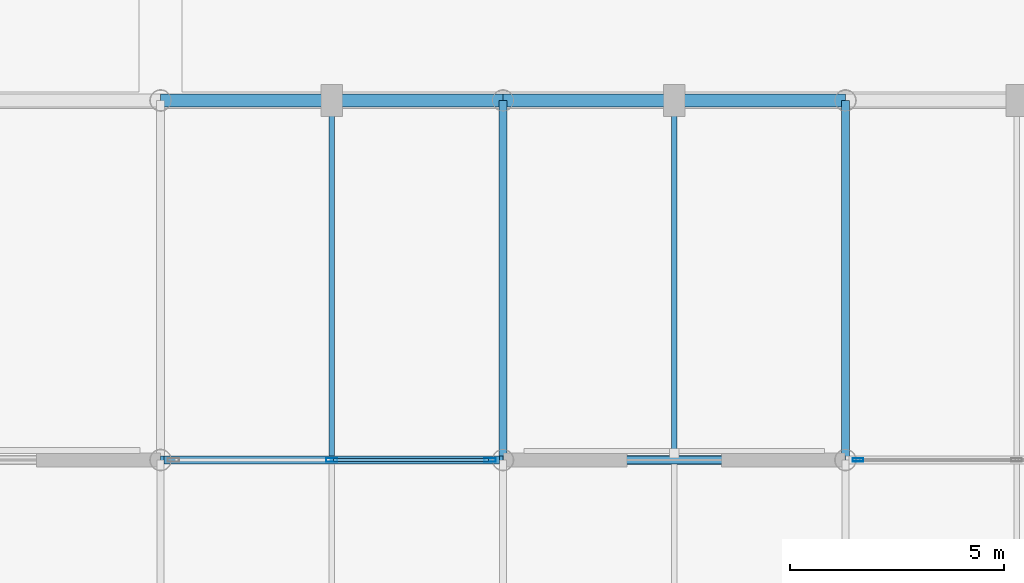
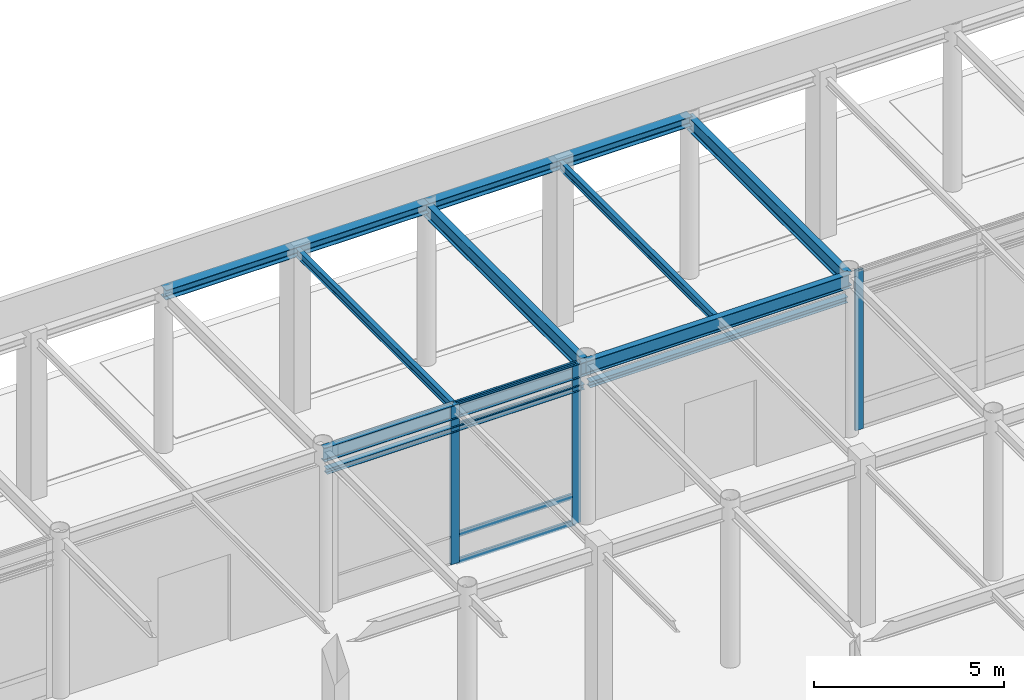
# One storey, part 39 of 89: 10 beams, 7 members, 2 elements without a shape of their own.
"""IFC4 building model written with IfcOpenShell, lengths in metres."""

from ifc_helpers import new_model, si_unit, direction, frame, origin, origin_2d, place, context, subcontext, project, spatial, hollow_rectangle, i_section, extrude, material, layer, layer_set, material_profile, profile_set, type_object, element, aggregate, save


model = new_model("IFC4")

# Units and contexts
model_context = context("Model", 3, precision=1e-05, world=origin(), true_north=direction((0.0, 1.0)))
body_context = subcontext(model_context, "Body", "Model", "MODEL_VIEW")
ifc_project = project(units=[si_unit("LENGTHUNIT", "METRE"), si_unit("AREAUNIT", "SQUARE_METRE"), si_unit("VOLUMEUNIT", "CUBIC_METRE"), si_unit("PLANEANGLEUNIT", "RADIAN"), si_unit("MASSUNIT", "GRAM", prefix="KILO")], contexts=[model_context])

# Site, building, storey
site_placement = place(None, origin())
site = spatial("IfcSite", under=ifc_project, at=site_placement, CompositionType="ELEMENT")
building_placement = place(site_placement, origin())
building = spatial("IfcBuilding", under=site, at=building_placement, Name="Shalkamar Park Central Library", CompositionType="ELEMENT")
storey_placement = place(building_placement, origin())
storey = spatial("IfcBuildingStorey", under=building, at=storey_placement, Name="L01", CompositionType="ELEMENT", Elevation=0.0)

# Beams
ifc_material_1 = material(Name="Steel S355", Category="steel")
ifc_material_profile_1 = material_profile(ifc_material_1, i_section(OverallWidth=0.135009765625, OverallDepth=0.27001953125, WebThickness=0.006591796875, FlangeThickness=0.01025390625, FilletRadius=0.014892578125, at=origin_2d()), Name="IPE 270")
ifc_profile_set_1 = profile_set([ifc_material_profile_1], Name="Steel S355")
beam_type_1 = type_object("IfcBeamType", Name="Composite Floor Joist IPE270", PredefinedType="JOIST", material=ifc_profile_set_1)
for number, where, z_axis, x_axis, name in (
    (1, (193.0, 345.693115234375, 5.0048828125), (0.0, 1.0, 0.0), (-1.0, 0.0, 0.0), "Composite Joist 10/Q-1 (L01)"),
    (2, (201.0, 345.693115234375, 5.0048828125), (0.0, 1.0, 0.0), (-1.0, 0.0, 0.0), "Composite Joist 11/Q-1 (L01)"),
):
    element("IfcBeam", number, at=place(storey_placement, frame(where, z_axis=z_axis, x_axis=x_axis)), inside=storey, type_object=beam_type_1, Name=name, PredefinedType="JOIST", context=body_context, shape_type="SweptSolid", body=[
        extrude(i_section(OverallWidth=0.135009765625, OverallDepth=0.27001953125, WebThickness=0.006591796875, FlangeThickness=0.01025390625, FilletRadius=0.014892578125, at=origin_2d()), origin(), (0.0, 0.0, 1.0), 8.158935546875),
    ])

# Curtain wall, member
ifc_material_2 = material(Name="Thermally broken aluminium and triple low-e curtain wall", Category="aluminium")
ifc_layer_1 = layer(ifc_material_2, 0.25)
ifc_layer_set_1 = layer_set([ifc_layer_1], Name="UnitisedCurtainWall_10")
curtain_wall_type_1 = type_object("IfcCurtainWallType", Name="Unitised Curtain Wall 10", PredefinedType="USERDEFINED", material=ifc_layer_set_1)
curtain_wall_1_placement = place(storey_placement, origin())
curtain_wall_1 = element("IfcCurtainWall", 3, at=curtain_wall_1_placement, inside=storey, type_object=curtain_wall_type_1, Name="Unitised Curtain Wall CW-L01-010", ObjectType="UNITISED CURTAIN WALL", PredefinedType="USERDEFINED")
ifc_material_3 = material(Name="Aluminium 6060-T66", Category="aluminium")
ifc_material_profile_2 = material_profile(ifc_material_3, hollow_rectangle(XDim=0.074951171875, YDim=0.25, WallThickness=0.00390625, InnerFilletRadius=0.00390625, OuterFilletRadius=0.006103515625, at=origin_2d()), Name="ALU 75x250x4")
ifc_profile_set_2 = profile_set([ifc_material_profile_2], Name="Aluminium 6060-T66")
member_type_1 = type_object("IfcMemberType", Name="Curtain Wall Mullion ALU75x250", PredefinedType="MULLION", material=ifc_profile_set_2)
member_1_placement = place(storey_placement, frame((205.29541015625, 345.60009765625, 0.0), z_axis=(0.0, 0.0, 1.0), x_axis=(0.0, 1.0, 0.0)))
member_1 = element("IfcMember", 4, at=member_1_placement, type_object=member_type_1, Name="CW-10 mullion 1", PredefinedType="MULLION", context=body_context, shape_type="SweptSolid", body=[
    extrude(hollow_rectangle(XDim=0.074951171875, YDim=0.25, WallThickness=0.00390625, InnerFilletRadius=0.00390625, OuterFilletRadius=0.006103515625, at=origin_2d()), origin(), (0.0, 0.0, 1.0), 5.139892578125),
])
aggregate(curtain_wall_1, [member_1])

# Curtain wall, members
ifc_layer_2 = layer(ifc_material_2, 0.264892578125)
ifc_layer_set_2 = layer_set([ifc_layer_2], Name="UnitisedCurtainWall_09")
curtain_wall_type_2 = type_object("IfcCurtainWallType", Name="Unitised Curtain Wall 09", PredefinedType="USERDEFINED", material=ifc_layer_set_2)
curtain_wall_2_placement = place(storey_placement, origin())
curtain_wall_2 = element("IfcCurtainWall", 5, at=curtain_wall_2_placement, inside=storey, type_object=curtain_wall_type_2, Name="Unitised Curtain Wall CW-L01-009", ObjectType="UNITISED CURTAIN WALL", PredefinedType="USERDEFINED")
ifc_material_profile_3 = material_profile(ifc_material_3, hollow_rectangle(XDim=0.0849609375, YDim=0.264892578125, WallThickness=0.0048828125, InnerFilletRadius=0.0048828125, OuterFilletRadius=0.007568359375, at=origin_2d()), Name="ALU 85x265x5")
ifc_profile_set_3 = profile_set([ifc_material_profile_3], Name="Aluminium 6060-T66")
member_type_2 = type_object("IfcMemberType", Name="Curtain Wall Mullion ALU85x265", PredefinedType="MULLION", material=ifc_profile_set_3)
member_2_placement = place(storey_placement, frame((193.0, 345.60009765625, 0.0), z_axis=(0.0, 0.0, 1.0), x_axis=(0.0, 1.0, 0.0)))
member_2 = element("IfcMember", 6, at=member_2_placement, type_object=member_type_2, Name="CW-09 mullion 2", PredefinedType="MULLION", context=body_context, shape_type="SweptSolid", body=[
    extrude(hollow_rectangle(XDim=0.0849609375, YDim=0.264892578125, WallThickness=0.0048828125, InnerFilletRadius=0.0048828125, OuterFilletRadius=0.007568359375, at=origin_2d()), origin(), (0.0, 0.0, 1.0), 5.139892578125),
])
member_3_placement = place(storey_placement, frame((196.699462890625, 345.60009765625, 0.0), z_axis=(0.0, 0.0, 1.0), x_axis=(0.0, 1.0, 0.0)))
member_3 = element("IfcMember", 7, at=member_3_placement, type_object=member_type_2, Name="CW-09 mullion 3", PredefinedType="MULLION", context=body_context, shape_type="SweptSolid", body=[
    extrude(hollow_rectangle(XDim=0.0849609375, YDim=0.264892578125, WallThickness=0.0048828125, InnerFilletRadius=0.0048828125, OuterFilletRadius=0.007568359375, at=origin_2d()), origin(), (0.0, 0.0, 1.0), 5.139892578125),
])
ifc_material_profile_4 = material_profile(ifc_material_3, hollow_rectangle(XDim=0.070068359375, YDim=0.179931640625, WallThickness=0.00439453125, InnerFilletRadius=0.00439453125, OuterFilletRadius=0.0068359375, at=origin_2d()), Name="ALU 70x180x4.5")
ifc_profile_set_4 = profile_set([ifc_material_profile_4], Name="Aluminium 6060-T66")
member_type_3 = type_object("IfcMemberType", Name="Curtain Wall Transom ALU70x180", PredefinedType="USERDEFINED", material=ifc_profile_set_4)
member_4_placement = place(storey_placement, frame((193.04248046875, 345.60009765625, 0.034912109375), z_axis=(1.0, 0.0, 0.0), x_axis=(0.0, 1.0, 0.0)))
member_4 = element("IfcMember", 8, at=member_4_placement, type_object=member_type_3, Name="CW-09 transom 2.1", ObjectType="TRANSOM", PredefinedType="USERDEFINED", context=body_context, shape_type="SweptSolid", body=[
    extrude(hollow_rectangle(XDim=0.070068359375, YDim=0.179931640625, WallThickness=0.00439453125, InnerFilletRadius=0.00439453125, OuterFilletRadius=0.0068359375, at=origin_2d()), origin(), (0.0, 0.0, 1.0), 3.614501953125),
])
member_5_placement = place(storey_placement, frame((193.04248046875, 345.60009765625, 0.89990234375), z_axis=(1.0, 0.0, 0.0), x_axis=(0.0, 1.0, 0.0)))
member_5 = element("IfcMember", 9, at=member_5_placement, type_object=member_type_3, Name="CW-09 transom 2.2", ObjectType="TRANSOM", PredefinedType="USERDEFINED", context=body_context, shape_type="SweptSolid", body=[
    extrude(hollow_rectangle(XDim=0.070068359375, YDim=0.179931640625, WallThickness=0.00439453125, InnerFilletRadius=0.00439453125, OuterFilletRadius=0.0068359375, at=origin_2d()), origin(), (0.0, 0.0, 1.0), 3.614501953125),
])
member_6_placement = place(storey_placement, frame((193.04248046875, 345.60009765625, 4.389892578125), z_axis=(1.0, 0.0, 0.0), x_axis=(0.0, 1.0, 0.0)))
member_6 = element("IfcMember", 10, at=member_6_placement, type_object=member_type_3, Name="CW-09 transom 2.3", ObjectType="TRANSOM", PredefinedType="USERDEFINED", context=body_context, shape_type="SweptSolid", body=[
    extrude(hollow_rectangle(XDim=0.070068359375, YDim=0.179931640625, WallThickness=0.00439453125, InnerFilletRadius=0.00439453125, OuterFilletRadius=0.0068359375, at=origin_2d()), origin(), (0.0, 0.0, 1.0), 3.614501953125),
])
member_7_placement = place(storey_placement, frame((193.04248046875, 345.60009765625, 5.10498046875), z_axis=(1.0, 0.0, 0.0), x_axis=(0.0, 1.0, 0.0)))
member_7 = element("IfcMember", 11, at=member_7_placement, type_object=member_type_3, Name="CW-09 transom 2.4", ObjectType="TRANSOM", PredefinedType="USERDEFINED", context=body_context, shape_type="SweptSolid", body=[
    extrude(hollow_rectangle(XDim=0.070068359375, YDim=0.179931640625, WallThickness=0.00439453125, InnerFilletRadius=0.00439453125, OuterFilletRadius=0.0068359375, at=origin_2d()), origin(), (0.0, 0.0, 1.0), 3.614501953125),
])
aggregate(curtain_wall_2, [member_2, member_3, member_4, member_5, member_6, member_7])

# Beams
ifc_material_profile_5 = material_profile(ifc_material_1, i_section(OverallWidth=0.179931640625, OverallDepth=0.1708984375, WebThickness=0.006103515625, FlangeThickness=0.009521484375, FilletRadius=0.014892578125, at=origin_2d()), Name="HEA 180")
ifc_profile_set_5 = profile_set([ifc_material_profile_5], Name="Steel S355")
beam_type_2 = type_object("IfcBeamType", Name="Opening Lintel Beam HEA180", PredefinedType="LINTEL", material=ifc_profile_set_5)
beam_1_placement = place(storey_placement, frame((189.080078125, 345.60009765625, 4.35009765625), z_axis=(1.0, 0.0, 0.0), x_axis=(0.0, 1.0, 0.0)))
element("IfcBeam", 12, at=beam_1_placement, inside=storey, type_object=beam_type_2, Name="Opening Lintel L01-12", PredefinedType="LINTEL", context=body_context, shape_type="SweptSolid", body=[
    extrude(i_section(OverallWidth=0.179931640625, OverallDepth=0.1708984375, WebThickness=0.006103515625, FlangeThickness=0.009521484375, FilletRadius=0.014892578125, at=origin_2d()), origin(), (0.0, 0.0, 1.0), 7.83984375),
])
ifc_material_profile_6 = material_profile(ifc_material_1, i_section(OverallWidth=0.199951171875, OverallDepth=0.18994140625, WebThickness=0.006591796875, FlangeThickness=0.010009765625, FilletRadius=0.01806640625, at=origin_2d()), Name="HEA 200")
ifc_profile_set_6 = profile_set([ifc_material_profile_6], Name="Steel S355")
beam_type_3 = type_object("IfcBeamType", Name="Opening Lintel Beam HEA200", PredefinedType="LINTEL", material=ifc_profile_set_6)
beam_2_placement = place(storey_placement, frame((197.080078125, 345.60009765625, 4.35009765625), z_axis=(1.0, 0.0, 0.0), x_axis=(0.0, 1.0, 0.0)))
element("IfcBeam", 13, at=beam_2_placement, inside=storey, type_object=beam_type_3, Name="Opening Lintel L01-13", PredefinedType="LINTEL", context=body_context, shape_type="SweptSolid", body=[
    extrude(i_section(OverallWidth=0.199951171875, OverallDepth=0.18994140625, WebThickness=0.006591796875, FlangeThickness=0.010009765625, FilletRadius=0.01806640625, at=origin_2d()), origin(), (0.0, 0.0, 1.0), 7.83984375),
])
ifc_material_profile_7 = material_profile(ifc_material_1, i_section(OverallWidth=0.300048828125, OverallDepth=0.31005859375, WebThickness=0.009033203125, FlangeThickness=0.015380859375, FilletRadius=0.027099609375, at=origin_2d()), Name="HEA 320")
ifc_profile_set_7 = profile_set([ifc_material_profile_7], Name="Steel S355")
beam_type_4 = type_object("IfcBeamType", Name="Perimeter Spandrel Beam HEA320", PredefinedType="SPANDREL", material=ifc_profile_set_7)
for number, where, z_axis, x_axis, name in (
    (14, (189.0, 354.0, 4.9951171875), (1.0, 0.0, 0.0), (0.0, 1.0, 0.0), "Beam R:10-11 (L01)"),
    (15, (197.0, 354.0, 4.9951171875), (1.0, 0.0, 0.0), (0.0, 1.0, 0.0), "Beam R:11-12 (L01)"),
):
    element("IfcBeam", number, at=place(storey_placement, frame(where, z_axis=z_axis, x_axis=x_axis)), inside=storey, type_object=beam_type_4, Name=name, PredefinedType="SPANDREL", context=body_context, shape_type="SweptSolid", body=[
        extrude(i_section(OverallWidth=0.300048828125, OverallDepth=0.31005859375, WebThickness=0.009033203125, FlangeThickness=0.015380859375, FilletRadius=0.027099609375, at=origin_2d()), origin(), (0.0, 0.0, 1.0), 8.0),
    ])
ifc_material_profile_8 = material_profile(ifc_material_1, i_section(OverallWidth=0.18994140625, OverallDepth=0.449951171875, WebThickness=0.009521484375, FlangeThickness=0.0146484375, FilletRadius=0.02099609375, at=origin_2d()), Name="IPE 450")
ifc_profile_set_8 = profile_set([ifc_material_profile_8], Name="Steel S355")
beam_type_5 = type_object("IfcBeamType", Name="Primary Girder IPE450", PredefinedType="BEAM", material=ifc_profile_set_8)
for number, where, z_axis, x_axis, name in (
    (16, (189.0, 345.60009765625, 4.9150390625), (1.0, 0.0, 0.0), (0.0, 1.0, 0.0), "Beam Q:10-11 (L01)"),
    (17, (197.0, 345.60009765625, 4.9150390625), (1.0, 0.0, 0.0), (0.0, 1.0, 0.0), "Beam Q:11-12 (L01)"),
):
    element("IfcBeam", number, at=place(storey_placement, frame(where, z_axis=z_axis, x_axis=x_axis)), inside=storey, type_object=beam_type_5, Name=name, PredefinedType="BEAM", context=body_context, shape_type="SweptSolid", body=[
        extrude(i_section(OverallWidth=0.18994140625, OverallDepth=0.449951171875, WebThickness=0.009521484375, FlangeThickness=0.0146484375, FilletRadius=0.02099609375, at=origin_2d()), origin(), (0.0, 0.0, 1.0), 8.0),
    ])
for number, where, z_axis, x_axis, name in (
    (18, (197.0, 345.60009765625, 4.9150390625), (0.0, 1.0, 0.0), (-1.0, 0.0, 0.0), "Beam 11:Q-R (L01)"),
    (19, (205.0, 345.60009765625, 4.9150390625), (0.0, 1.0, 0.0), (-1.0, 0.0, 0.0), "Beam 12:Q-R (L01)"),
):
    element("IfcBeam", number, at=place(storey_placement, frame(where, z_axis=z_axis, x_axis=x_axis)), inside=storey, type_object=beam_type_5, Name=name, PredefinedType="BEAM", context=body_context, shape_type="SweptSolid", body=[
        extrude(i_section(OverallWidth=0.18994140625, OverallDepth=0.449951171875, WebThickness=0.009521484375, FlangeThickness=0.0146484375, FilletRadius=0.02099609375, at=origin_2d()), origin(), (0.0, 0.0, 1.0), 8.39990234375),
    ])

save(model, "model.ifc")
